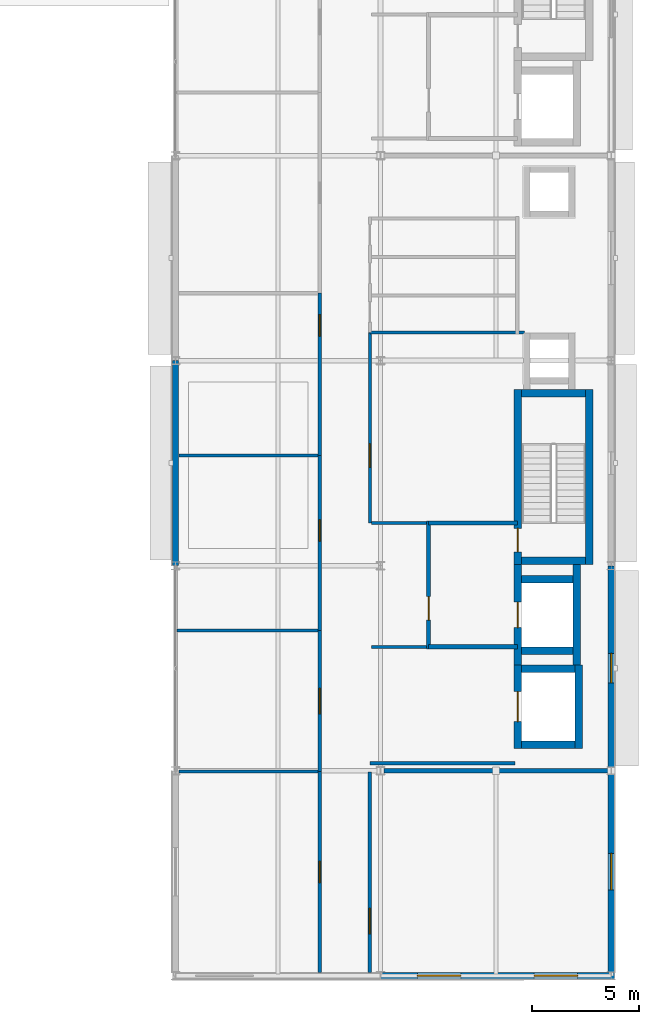
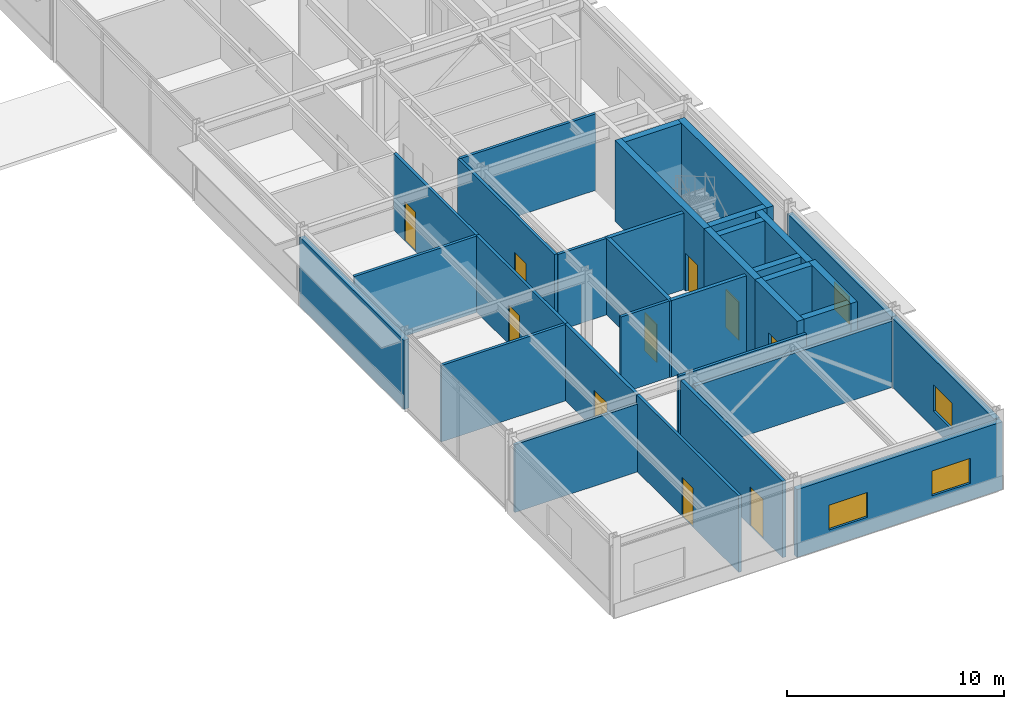
# One storey, part 108 of 133: 33 walls, 10 doors, 4 windows, 14 openings.
"""IFC4 building model written with IfcOpenShell, lengths in metres."""

from ifc_helpers import new_model, si_unit, direction, frame, frame_2d, origin, place, context, subcontext, project, spatial, rectangle, extrude, material, layer, layer_set, type_object, element, fill, save


model = new_model("IFC4")

# Units and contexts
model_context = context("Model", 3, precision=1e-05, world=origin(), true_north=direction((0.0, 1.0)))
body_context = subcontext(model_context, "Body", "Model", "MODEL_VIEW")
ifc_project = project(units=[si_unit("LENGTHUNIT", "METRE"), si_unit("AREAUNIT", "SQUARE_METRE"), si_unit("VOLUMEUNIT", "CUBIC_METRE"), si_unit("PLANEANGLEUNIT", "RADIAN"), si_unit("MASSUNIT", "GRAM", prefix="KILO")], contexts=[model_context])

# Site, building, storey
site_placement = place(None, origin())
site = spatial("IfcSite", under=ifc_project, at=site_placement, CompositionType="ELEMENT")
building_placement = place(site_placement, origin())
building = spatial("IfcBuilding", under=site, at=building_placement, Name="Almandine Court Research Institute", CompositionType="ELEMENT")
storey_placement = place(building_placement, frame((0.0, 0.0, 9.800048828125)))
storey = spatial("IfcBuildingStorey", under=building, at=storey_placement, Name="L02", CompositionType="ELEMENT", Elevation=9.800048828125)

# Wall
ifc_material_1 = material(Name="Insulated Ochre Terracotta Rainscreen Wall", Category="masonry")
ifc_layer_1 = layer(ifc_material_1, 0.2900390625)
ifc_layer_set_1 = layer_set([ifc_layer_1], Name="Insulated Ochre Terracotta Rainscreen Wall")
wall_type_1 = type_object("IfcWallType", Name="Wall-EXT-TERR-290", PredefinedType="SOLIDWALL", material=ifc_layer_set_1)
wall_1_placement = place(storey_placement, frame((153.60009765625, 25.2041015625, 0.0), z_axis=(0.0, 0.0, 1.0), x_axis=(0.0, 1.0, 0.0)))
element("IfcWall", 1, at=wall_1_placement, inside=storey, type_object=wall_type_1, Name="L02 Wet Lab West Facade Wall 3", PredefinedType="SOLIDWALL", context=body_context, shape_type="SweptSolid", body=[
    extrude(rectangle(XDim=9.591796875, YDim=0.2900390625, at=frame_2d((4.7958984375, 0.0))), origin(), (0.0, 0.0, 1.0), 3.89306640625),
])

# Wall, opening, window
wall_2_placement = place(storey_placement, frame((174.0, 25.196044921875, 0.0), z_axis=(0.0, 0.0, 1.0), x_axis=(0.0, -1.0, 0.0)))
wall_2 = element("IfcWall", 2, at=wall_2_placement, inside=storey, type_object=wall_type_1, Name="L02 Wet Lab East Facade Wall 2", PredefinedType="SOLIDWALL", context=body_context, shape_type="SweptSolid", body=[
    extrude(rectangle(XDim=9.592041015625, YDim=0.2900390625, at=frame_2d((4.7958984375, 0.0))), origin(), (0.0, 0.0, 1.0), 3.884033203125),
])
opening_1_placement = place(wall_2_placement, frame((4.10595703125, 0.0, 0.949951171875)))
opening_1 = element("IfcOpeningElement", 3, at=opening_1_placement, cuts=wall_2, Name="Opening WN-75", PredefinedType="OPENING", context=body_context, shape_type="SweptSolid", body=[
    extrude(rectangle(XDim=1.3798828125, YDim=1.56005859375, at=frame_2d((0.68994140625, 0.780029296875))), frame((0.0, 0.155029296875, 0.0), z_axis=(0.0, -1.0, 0.0), x_axis=(1.0, 0.0, 0.0)), (0.0, 0.0, 1.0), 0.31005859375),
])
ifc_material_2 = material(Name="Thermally Broken Low-E Double-Glazed Window", Category="glass")
window_type_1 = type_object("IfcWindowType", Name="Win-WN-75-1380x1560", PartitioningType="SINGLE_PANEL", PredefinedType="WINDOW", material=ifc_material_2)
window_1_placement = place(opening_1_placement, origin())
window_1 = element("IfcWindow", 4, at=window_1_placement, inside=storey, type_object=window_type_1, Name="L02 Modular Recessed Low-E Window 109", OverallHeight=1.56005859375, OverallWidth=1.3798828125, PartitioningType="SINGLE_PANEL", PredefinedType="WINDOW", context=body_context, shape_type="SweptSolid", body=[
    extrude(rectangle(XDim=1.3798828125, YDim=1.56005859375, at=frame_2d((0.68994140625, 0.780029296875))), frame((0.0, 0.030029296875, 0.0), z_axis=(0.0, -1.0, 0.0), x_axis=(1.0, 0.0, 0.0)), (0.0, 0.0, 1.0), 0.06005859375),
])
fill(opening_1, window_1)

wall_3_placement = place(storey_placement, frame((174.0, 15.595947265625, 0.0), z_axis=(0.0, 0.0, 1.0), x_axis=(0.0, -1.0, 0.0)))
wall_3 = element("IfcWall", 5, at=wall_3_placement, inside=storey, type_object=wall_type_1, Name="L02 Wet Lab East Facade Wall 1", PredefinedType="SOLIDWALL", context=body_context, shape_type="SweptSolid", body=[
    extrude(rectangle(XDim=9.447021484375, YDim=0.2900390625, at=frame_2d((4.7236328125, 0.0))), origin(), (0.0, 0.0, 1.0), 3.884033203125),
])
opening_2_placement = place(wall_3_placement, frame((3.867919921875, 0.0, 0.949951171875)))
opening_2 = element("IfcOpeningElement", 6, at=opening_2_placement, cuts=wall_3, Name="Opening WN-12", PredefinedType="OPENING", context=body_context, shape_type="SweptSolid", body=[
    extrude(rectangle(XDim=1.7099609375, YDim=1.47998046875, at=frame_2d((0.85498046875, 0.739990234375))), frame((0.0, 0.155029296875, 0.0), z_axis=(0.0, -1.0, 0.0), x_axis=(1.0, 0.0, 0.0)), (0.0, 0.0, 1.0), 0.31005859375),
])
window_type_2 = type_object("IfcWindowType", Name="Win-WN-12-1710x1480", PartitioningType="SINGLE_PANEL", PredefinedType="WINDOW", material=ifc_material_2)
window_2_placement = place(opening_2_placement, origin())
window_2 = element("IfcWindow", 7, at=window_2_placement, inside=storey, type_object=window_type_2, Name="L02 Modular Recessed Low-E Window 110", OverallHeight=1.47998046875, OverallWidth=1.7099609375, PartitioningType="SINGLE_PANEL", PredefinedType="WINDOW", context=body_context, shape_type="SweptSolid", body=[
    extrude(rectangle(XDim=1.7099609375, YDim=1.47998046875, at=frame_2d((0.85498046875, 0.739990234375))), frame((0.0, 0.030029296875, 0.0), z_axis=(0.0, -1.0, 0.0), x_axis=(1.0, 0.0, 0.0)), (0.0, 0.0, 1.0), 0.06005859375),
])
fill(opening_2, window_2)

# Wall, openings, windows
wall_4_placement = place(storey_placement, frame((174.14501953125, 6.0, 0.0), z_axis=(0.0, 0.0, 1.0), x_axis=(-1.0, 0.0, 0.0)))
wall_4 = element("IfcWall", 8, at=wall_4_placement, inside=storey, type_object=wall_type_1, Name="L02 Wet Lab South Wall 1", PredefinedType="SOLIDWALL", context=body_context, shape_type="SweptSolid", body=[
    extrude(rectangle(XDim=10.94091796875, YDim=0.2900390625, at=frame_2d((5.470458984375, 0.0))), origin(), (0.0, 0.0, 1.0), 3.81396484375),
])
opening_3_placement = place(wall_4_placement, frame((1.715087890625, 0.0, 0.949951171875)))
opening_3 = element("IfcOpeningElement", 9, at=opening_3_placement, cuts=wall_4, Name="Opening WN-76", PredefinedType="OPENING", context=body_context, shape_type="SweptSolid", body=[
    extrude(rectangle(XDim=2.0400390625, YDim=1.39990234375, at=frame_2d((1.02001953125, 0.699951171875))), frame((0.0, 0.155029296875, 0.0), z_axis=(0.0, -1.0, 0.0), x_axis=(1.0, 0.0, 0.0)), (0.0, 0.0, 1.0), 0.31005859375),
])
opening_4_placement = place(wall_4_placement, frame((7.18603515625, 0.0, 0.949951171875)))
opening_4 = element("IfcOpeningElement", 10, at=opening_4_placement, cuts=wall_4, Name="Opening WN-76", PredefinedType="OPENING", context=body_context, shape_type="SweptSolid", body=[
    extrude(rectangle(XDim=2.0400390625, YDim=1.39990234375, at=frame_2d((1.02001953125, 0.699951171875))), frame((0.0, 0.155029296875, 0.0), z_axis=(0.0, -1.0, 0.0), x_axis=(1.0, 0.0, 0.0)), (0.0, 0.0, 1.0), 0.31005859375),
])
window_type_3 = type_object("IfcWindowType", Name="Win-WN-76-2040x1400", PartitioningType="SINGLE_PANEL", PredefinedType="WINDOW", material=ifc_material_2)
window_3_placement = place(opening_3_placement, origin())
window_3 = element("IfcWindow", 11, at=window_3_placement, inside=storey, type_object=window_type_3, Name="L02 Modular Recessed Low-E Window 111", OverallHeight=1.39990234375, OverallWidth=2.0400390625, PartitioningType="SINGLE_PANEL", PredefinedType="WINDOW", context=body_context, shape_type="SweptSolid", body=[
    extrude(rectangle(XDim=2.0400390625, YDim=1.39990234375, at=frame_2d((1.02001953125, 0.699951171875))), frame((0.0, 0.030029296875, 0.0), z_axis=(0.0, -1.0, 0.0), x_axis=(1.0, 0.0, 0.0)), (0.0, 0.0, 1.0), 0.06005859375),
])
fill(opening_3, window_3)
window_4_placement = place(opening_4_placement, origin())
window_4 = element("IfcWindow", 12, at=window_4_placement, inside=storey, type_object=window_type_3, Name="L02 Modular Recessed Low-E Window 112", OverallHeight=1.39990234375, OverallWidth=2.0400390625, PartitioningType="SINGLE_PANEL", PredefinedType="WINDOW", context=body_context, shape_type="SweptSolid", body=[
    extrude(rectangle(XDim=2.0400390625, YDim=1.39990234375, at=frame_2d((1.02001953125, 0.699951171875))), frame((0.0, 0.030029296875, 0.0), z_axis=(0.0, -1.0, 0.0), x_axis=(1.0, 0.0, 0.0)), (0.0, 0.0, 1.0), 0.06005859375),
])
fill(opening_4, window_4)

# Wall, opening, door
ifc_material_3 = material(Name="One-Hour Fire-Rated Laboratory Partition")
ifc_layer_2 = layer(ifc_material_3, 0.175048828125)
ifc_layer_set_2 = layer_set([ifc_layer_2], Name="One-Hour Fire-Rated Laboratory Partition")
wall_type_2 = type_object("IfcWallType", Name="Wall-FIRE-175", PredefinedType="PARTITIONING", material=ifc_layer_set_2)
wall_5_placement = place(storey_placement, frame((160.35009765625, 15.56005859375, 0.0), z_axis=(0.0, 0.0, 1.0), x_axis=(0.0, 1.0, 0.0)))
wall_5 = element("IfcWall", 13, at=wall_5_placement, inside=storey, type_object=wall_type_2, Name="L02 Interior Partition W-V4-L02-WW-1", PredefinedType="PARTITIONING", context=body_context, shape_type="SweptSolid", body=[
    extrude(rectangle(XDim=6.599853515625, YDim=0.175048828125, at=frame_2d((3.2998046875, 0.0))), origin(), (0.0, 0.0, 1.0), 4.300048828125),
])
opening_5_placement = place(wall_5_placement, frame((2.699951171875, 0.0, 0.0)))
opening_5 = element("IfcOpeningElement", 14, at=opening_5_placement, cuts=wall_5, Name="Opening FD-LAB", PredefinedType="OPENING", context=body_context, shape_type="SweptSolid", body=[
    extrude(rectangle(XDim=1.199951171875, YDim=2.199951171875, at=frame_2d((0.60009765625, 1.10009765625))), frame((0.0, 0.097412109375, 0.0), z_axis=(0.0, -1.0, 0.0), x_axis=(1.0, 0.0, 0.0)), (0.0, 0.0, 1.0), 0.195068359375),
])
ifc_material_4 = material(Name="Fire-Rated Laboratory Containment Door")
door_type_1 = type_object("IfcDoorType", Name="Door-FD-LAB-1200", OperationType="NOTDEFINED", PredefinedType="DOOR", material=ifc_material_4)
door_1_placement = place(opening_5_placement, origin())
door_1 = element("IfcDoor", 15, at=door_1_placement, inside=storey, type_object=door_type_1, Name="L02 Biosciences BSL-2 Laboratory Door", OperationType="SINGLE_SWING_LEFT", OverallHeight=2.199951171875, OverallWidth=1.199951171875, PredefinedType="DOOR", context=body_context, shape_type="SweptSolid", body=[
    extrude(rectangle(XDim=1.199951171875, YDim=2.199951171875, at=frame_2d((0.60009765625, 1.10009765625))), frame((0.0, 0.02490234375, 0.0), z_axis=(0.0, -1.0, 0.0), x_axis=(1.0, 0.0, 0.0)), (0.0, 0.0, 1.0), 0.050048828125),
])
fill(opening_5, door_1)

wall_6_placement = place(storey_placement, frame((162.699951171875, 6.159912109375, 0.0), z_axis=(0.0, 0.0, 1.0), x_axis=(0.0, 1.0, 0.0)))
wall_6 = element("IfcWall", 16, at=wall_6_placement, inside=storey, type_object=wall_type_2, Name="L02 Interior Partition W-V4-L02-EW-S", PredefinedType="PARTITIONING", context=body_context, shape_type="SweptSolid", body=[
    extrude(rectangle(XDim=9.39013671875, YDim=0.175048828125, at=frame_2d((4.695068359375, 0.0))), origin(), (0.0, 0.0, 1.0), 4.300048828125),
])
opening_6_placement = place(wall_6_placement, frame((1.800048828125, 0.0, 0.0)))
opening_6 = element("IfcOpeningElement", 17, at=opening_6_placement, cuts=wall_6, Name="Opening FD-LAB", PredefinedType="OPENING", context=body_context, shape_type="SweptSolid", body=[
    extrude(rectangle(XDim=1.199951171875, YDim=2.199951171875, at=frame_2d((0.60009765625, 1.10009765625))), frame((0.0, 0.097412109375, 0.0), z_axis=(0.0, -1.0, 0.0), x_axis=(1.0, 0.0, 0.0)), (0.0, 0.0, 1.0), 0.195068359375),
])
door_2_placement = place(opening_6_placement, origin())
door_2 = element("IfcDoor", 18, at=door_2_placement, inside=storey, type_object=door_type_1, Name="L02 Analytical Lab Door", OperationType="SINGLE_SWING_LEFT", OverallHeight=2.199951171875, OverallWidth=1.199951171875, PredefinedType="DOOR", context=body_context, shape_type="SweptSolid", body=[
    extrude(rectangle(XDim=1.199951171875, YDim=2.199951171875, at=frame_2d((0.60009765625, 1.10009765625))), frame((0.0, 0.02490234375, 0.0), z_axis=(0.0, -1.0, 0.0), x_axis=(1.0, 0.0, 0.0)), (0.0, 0.0, 1.0), 0.050048828125),
])
fill(opening_6, door_2)

# Wall
ifc_material_5 = material(Name="Two-Hour Fire-Barrier Enclosure Wall")
ifc_layer_3 = layer(ifc_material_5, 0.199951171875)
ifc_layer_set_3 = layer_set([ifc_layer_3], Name="Two-Hour Fire-Barrier Enclosure Wall")
wall_type_3 = type_object("IfcWallType", Name="Wall-FIRE-200", PredefinedType="SOLIDWALL", material=ifc_layer_set_3)
wall_7_placement = place(storey_placement, frame((163.360107421875, 15.60009765625, 0.0), z_axis=(0.0, 0.0, 1.0), x_axis=(1.0, 0.0, 0.0)))
element("IfcWall", 19, at=wall_7_placement, inside=storey, type_object=wall_type_3, Name="L02 Interior Partition W-BF-V4-BF1-L02", PredefinedType="SOLIDWALL", context=body_context, shape_type="SweptSolid", body=[
    extrude(rectangle(XDim=10.47998046875, YDim=0.199951171875, at=frame_2d((5.239990234375, 0.0))), origin(), (0.0, 0.0, 1.0), 3.737060546875),
])

# Wall, opening, door
wall_8_placement = place(storey_placement, frame((165.449951171875, 21.300048828125, 0.0), z_axis=(0.0, 0.0, 1.0), x_axis=(0.0, 1.0, 0.0)))
wall_8 = element("IfcWall", 20, at=wall_8_placement, inside=storey, type_object=wall_type_3, Name="L02 Interior Partition W-FFL1-L02-W", PredefinedType="SOLIDWALL", context=body_context, shape_type="SweptSolid", body=[
    extrude(rectangle(XDim=6.0, YDim=0.199951171875, at=frame_2d((3.0, 0.0))), origin(), (0.0, 0.0, 1.0), 4.300048828125),
])
opening_7_placement = place(wall_8_placement, frame((1.35009765625, 0.0, 0.0)))
opening_7 = element("IfcOpeningElement", 21, at=opening_7_placement, cuts=wall_8, Name="Opening FD-FFL", PredefinedType="OPENING", context=body_context, shape_type="SweptSolid", body=[
    extrude(rectangle(XDim=1.10009765625, YDim=2.14990234375, at=frame_2d((0.550048828125, 1.074951171875))), frame((0.0, 0.10986328125, 0.0), z_axis=(0.0, -1.0, 0.0), x_axis=(1.0, 0.0, 0.0)), (0.0, 0.0, 1.0), 0.219970703125),
])
ifc_material_6 = material(Name="Smoke-Tight Firefighting Lobby Fire Door")
door_type_2 = type_object("IfcDoorType", Name="Door-FD-FFL-1100", OperationType="NOTDEFINED", PredefinedType="DOOR", material=ifc_material_6)
door_3_placement = place(opening_7_placement, origin())
door_3 = element("IfcDoor", 22, at=door_3_placement, inside=storey, type_object=door_type_2, Name="L02 Firefighting Lobby Fire Door 1", OperationType="SINGLE_SWING_RIGHT", OverallHeight=2.14990234375, OverallWidth=1.10009765625, PredefinedType="DOOR", context=body_context, shape_type="SweptSolid", body=[
    extrude(rectangle(XDim=1.10009765625, YDim=2.14990234375, at=frame_2d((0.550048828125, 1.074951171875))), frame((0.0, 0.02490234375, 0.0), z_axis=(0.0, -1.0, 0.0), x_axis=(1.0, 0.0, 0.0)), (0.0, 0.0, 1.0), 0.050048828125),
])
fill(opening_7, door_3)

# Walls
for number, where, z_axis, x_axis, name in (
    (23, (165.449951171875, 21.39990234375, 0.0), (0.0, 0.0, 1.0), (1.0, 0.0, 0.0), "L02 Interior Partition W-FFL1-L02-S"),
    (24, (165.449951171875, 27.199951171875, 0.0), (0.0, 0.0, 1.0), (1.0, 0.0, 0.0), "L02 Interior Partition W-FFL1-L02-N"),
):
    element("IfcWall", number, at=place(storey_placement, frame(where, z_axis=z_axis, x_axis=x_axis)), inside=storey, type_object=wall_type_3, Name=name, PredefinedType="SOLIDWALL", context=body_context, shape_type="SweptSolid", body=[
        extrude(rectangle(XDim=4.150146484375, YDim=0.199951171875, at=frame_2d((2.0751953125, 0.0))), origin(), (0.0, 0.0, 1.0), 4.300048828125),
    ])
ifc_material_7 = material(Name="Acoustic Steel-Stud Gypsum Partition Wall", Category="steel")
ifc_layer_4 = layer(ifc_material_7, 0.14990234375)
ifc_layer_set_4 = layer_set([ifc_layer_4], Name="Acoustic Steel-Stud Gypsum Partition Wall")
wall_type_4 = type_object("IfcWallType", Name="Wall-PART-150", PredefinedType="PARTITIONING", material=ifc_layer_set_4)
wall_9_placement = place(storey_placement, frame((162.699951171875, 36.1201171875, 0.0), z_axis=(0.0, 0.0, 1.0), x_axis=(1.0, 0.0, 0.0)))
element("IfcWall", 25, at=wall_9_placement, inside=storey, type_object=wall_type_4, Name="L02 Interior Partition W-V4-L02-WCS", PredefinedType="PARTITIONING", context=body_context, shape_type="SweptSolid", body=[
    extrude(rectangle(XDim=7.25, YDim=0.14990234375, at=frame_2d((3.625, 0.0))), origin(), (0.0, 0.0, 1.0), 4.300048828125),
])

# Wall, opening, door
wall_10_placement = place(storey_placement, frame((160.35009765625, 6.159912109375, 0.0), z_axis=(0.0, 0.0, 1.0), x_axis=(0.0, 1.0, 0.0)))
wall_10 = element("IfcWall", 26, at=wall_10_placement, inside=storey, type_object=wall_type_4, Name="L02 Interior Partition W-V4-L02-WW-0", PredefinedType="PARTITIONING", context=body_context, shape_type="SweptSolid", body=[
    extrude(rectangle(XDim=9.400146484375, YDim=0.14990234375, at=frame_2d((4.7001953125, 0.0))), origin(), (0.0, 0.0, 1.0), 4.300048828125),
])
opening_8_placement = place(wall_10_placement, frame((4.199951171875, 0.0, 0.0)))
opening_8 = element("IfcOpeningElement", 27, at=opening_8_placement, cuts=wall_10, Name="Opening D-02", PredefinedType="OPENING", context=body_context, shape_type="SweptSolid", body=[
    extrude(rectangle(XDim=1.0, YDim=2.199951171875, at=frame_2d((0.5, 1.10009765625))), frame((0.0, 0.0849609375, 0.0), z_axis=(0.0, -1.0, 0.0), x_axis=(1.0, 0.0, 0.0)), (0.0, 0.0, 1.0), 0.169921875),
])
ifc_material_8 = material(Name="Solid-Core Timber Researcher Office Door", Category="wood")
door_type_3 = type_object("IfcDoorType", Name="Door-INT-1000", OperationType="NOTDEFINED", PredefinedType="DOOR", material=ifc_material_8)
door_4_placement = place(opening_8_placement, origin())
door_4 = element("IfcDoor", 28, at=door_4_placement, inside=storey, type_object=door_type_3, Name="L02 Faculty Study Door", OperationType="SINGLE_SWING_RIGHT", OverallHeight=2.199951171875, OverallWidth=1.0, PredefinedType="DOOR", context=body_context, shape_type="SweptSolid", body=[
    extrude(rectangle(XDim=1.0, YDim=2.199951171875, at=frame_2d((0.5, 1.10009765625))), frame((0.0, 0.02490234375, 0.0), z_axis=(0.0, -1.0, 0.0), x_axis=(1.0, 0.0, 0.0)), (0.0, 0.0, 1.0), 0.050048828125),
])
fill(opening_8, door_4)

# Walls
wall_11_placement = place(storey_placement, frame((153.760009765625, 15.56005859375, 0.0), z_axis=(0.0, 0.0, 1.0), x_axis=(1.0, 0.0, 0.0)))
element("IfcWall", 29, at=wall_11_placement, inside=storey, type_object=wall_type_4, Name="L02 Interior Partition W-V4-L02-WDIV-0", PredefinedType="PARTITIONING", context=body_context, shape_type="SweptSolid", body=[
    extrude(rectangle(XDim=6.510009765625, YDim=0.14990234375, at=frame_2d((3.2548828125, 0.0))), origin(), (0.0, 0.0, 1.0), 3.81494140625),
])
wall_12_placement = place(storey_placement, frame((153.659912109375, 22.159912109375, 0.0), z_axis=(0.0, 0.0, 1.0), x_axis=(1.0, 0.0, 0.0)))
element("IfcWall", 30, at=wall_12_placement, inside=storey, type_object=wall_type_4, Name="L02 Interior Partition W-V4-L02-WDIV-1", PredefinedType="PARTITIONING", context=body_context, shape_type="SweptSolid", body=[
    extrude(rectangle(XDim=6.610107421875, YDim=0.14990234375, at=frame_2d((3.30517578125, 0.0))), origin(), (0.0, 0.0, 1.0), 4.300048828125),
])

# Wall, opening, door
wall_13_placement = place(storey_placement, frame((160.35009765625, 22.159912109375, 0.0), z_axis=(0.0, 0.0, 1.0), x_axis=(0.0, 1.0, 0.0)))
wall_13 = element("IfcWall", 31, at=wall_13_placement, inside=storey, type_object=wall_type_4, Name="L02 Interior Partition W-V4-L02-WW-2", PredefinedType="PARTITIONING", context=body_context, shape_type="SweptSolid", body=[
    extrude(rectangle(XDim=8.2001953125, YDim=0.14990234375, at=frame_2d((4.10009765625, 0.0))), origin(), (0.0, 0.0, 1.0), 4.300048828125),
])
opening_9_placement = place(wall_13_placement, frame((4.18994140625, 0.0, 0.0)))
opening_9 = element("IfcOpeningElement", 32, at=opening_9_placement, cuts=wall_13, Name="Opening D-02", PredefinedType="OPENING", context=body_context, shape_type="SweptSolid", body=[
    extrude(rectangle(XDim=1.0, YDim=2.199951171875, at=frame_2d((0.5, 1.10009765625))), frame((0.0, 0.0849609375, 0.0), z_axis=(0.0, -1.0, 0.0), x_axis=(1.0, 0.0, 0.0)), (0.0, 0.0, 1.0), 0.169921875),
])
door_5_placement = place(opening_9_placement, origin())
door_5 = element("IfcDoor", 33, at=door_5_placement, inside=storey, type_object=door_type_3, Name="L02 Seminar Room Door", OperationType="SINGLE_SWING_RIGHT", OverallHeight=2.199951171875, OverallWidth=1.0, PredefinedType="DOOR", context=body_context, shape_type="SweptSolid", body=[
    extrude(rectangle(XDim=1.0, YDim=2.199951171875, at=frame_2d((0.5, 1.10009765625))), frame((0.0, 0.02490234375, 0.0), z_axis=(0.0, -1.0, 0.0), x_axis=(1.0, 0.0, 0.0)), (0.0, 0.0, 1.0), 0.050048828125),
])
fill(opening_9, door_5)

# Wall
wall_14_placement = place(storey_placement, frame((153.760009765625, 30.360107421875, 0.0), z_axis=(0.0, 0.0, 1.0), x_axis=(1.0, 0.0, 0.0)))
element("IfcWall", 34, at=wall_14_placement, inside=storey, type_object=wall_type_4, Name="L02 Interior Partition W-V4-L02-WDIV-2", PredefinedType="PARTITIONING", context=body_context, shape_type="SweptSolid", body=[
    extrude(rectangle(XDim=6.510009765625, YDim=0.14990234375, at=frame_2d((3.2548828125, 0.0))), origin(), (0.0, 0.0, 1.0), 4.300048828125),
])

# Wall, opening, door
wall_15_placement = place(storey_placement, frame((160.35009765625, 30.360107421875, 0.0), z_axis=(0.0, 0.0, 1.0), x_axis=(0.0, 1.0, 0.0)))
wall_15 = element("IfcWall", 35, at=wall_15_placement, inside=storey, type_object=wall_type_4, Name="L02 Interior Partition W-V4-L02-WW-3", PredefinedType="PARTITIONING", context=body_context, shape_type="SweptSolid", body=[
    extrude(rectangle(XDim=7.599853515625, YDim=0.14990234375, at=frame_2d((3.7998046875, 0.0))), origin(), (0.0, 0.0, 1.0), 4.300048828125),
])
opening_10_placement = place(wall_15_placement, frame((5.590087890625, 0.0, 0.0)))
opening_10 = element("IfcOpeningElement", 36, at=opening_10_placement, cuts=wall_15, Name="Opening D-02", PredefinedType="OPENING", context=body_context, shape_type="SweptSolid", body=[
    extrude(rectangle(XDim=1.0, YDim=2.199951171875, at=frame_2d((0.5, 1.10009765625))), frame((0.0, 0.0849609375, 0.0), z_axis=(0.0, -1.0, 0.0), x_axis=(1.0, 0.0, 0.0)), (0.0, 0.0, 1.0), 0.169921875),
])
door_6_placement = place(opening_10_placement, origin())
door_6 = element("IfcDoor", 37, at=door_6_placement, inside=storey, type_object=door_type_3, Name="L02 Instrument Room Door", OperationType="SINGLE_SWING_LEFT", OverallHeight=2.199951171875, OverallWidth=1.0, PredefinedType="DOOR", context=body_context, shape_type="SweptSolid", body=[
    extrude(rectangle(XDim=1.0, YDim=2.199951171875, at=frame_2d((0.5, 1.10009765625))), frame((0.0, 0.02490234375, 0.0), z_axis=(0.0, -1.0, 0.0), x_axis=(1.0, 0.0, 0.0)), (0.0, 0.0, 1.0), 0.050048828125),
])
fill(opening_10, door_6)

# Wall
wall_16_placement = place(storey_placement, frame((162.780029296875, 27.199951171875, 0.0), z_axis=(0.0, 0.0, 1.0), x_axis=(1.0, 0.0, 0.0)))
element("IfcWall", 38, at=wall_16_placement, inside=storey, type_object=wall_type_4, Name="L02 Interior Partition W-V4-L02-SPEC-S", PredefinedType="PARTITIONING", context=body_context, shape_type="SweptSolid", body=[
    extrude(rectangle(XDim=2.570068359375, YDim=0.14990234375, at=frame_2d((1.28515625, 0.0))), origin(), (0.0, 0.0, 1.0), 4.300048828125),
])

# Wall, opening, door
wall_17_placement = place(storey_placement, frame((162.699951171875, 27.199951171875, 0.0), z_axis=(0.0, 0.0, 1.0), x_axis=(0.0, 1.0, 0.0)))
wall_17 = element("IfcWall", 39, at=wall_17_placement, inside=storey, type_object=wall_type_4, Name="L02 Interior Partition W-V4-L02-EW-M", PredefinedType="PARTITIONING", context=body_context, shape_type="SweptSolid", body=[
    extrude(rectangle(XDim=8.920166015625, YDim=0.14990234375, at=frame_2d((4.4599609375, 0.0))), origin(), (0.0, 0.0, 1.0), 4.300048828125),
])
opening_11_placement = place(wall_17_placement, frame((2.60009765625, 0.0, 0.0)))
opening_11 = element("IfcOpeningElement", 40, at=opening_11_placement, cuts=wall_17, Name="Opening D-03", PredefinedType="OPENING", context=body_context, shape_type="SweptSolid", body=[
    extrude(rectangle(XDim=1.10009765625, YDim=2.199951171875, at=frame_2d((0.550048828125, 1.10009765625))), frame((0.0, 0.0849609375, 0.0), z_axis=(0.0, -1.0, 0.0), x_axis=(1.0, 0.0, 0.0)), (0.0, 0.0, 1.0), 0.169921875),
])
ifc_material_9 = material(Name="Acoustic Vision-Panel Seminar Door")
door_type_4 = type_object("IfcDoorType", Name="Door-INT-1100", OperationType="NOTDEFINED", PredefinedType="DOOR", material=ifc_material_9)
door_7_placement = place(opening_11_placement, origin())
door_7 = element("IfcDoor", 41, at=door_7_placement, inside=storey, type_object=door_type_4, Name="L02 Spectroscopy Suite Door", OperationType="SINGLE_SWING_RIGHT", OverallHeight=2.199951171875, OverallWidth=1.10009765625, PredefinedType="DOOR", context=body_context, shape_type="SweptSolid", body=[
    extrude(rectangle(XDim=1.10009765625, YDim=2.199951171875, at=frame_2d((0.550048828125, 1.10009765625))), frame((0.0, 0.02490234375, 0.0), z_axis=(0.0, -1.0, 0.0), x_axis=(1.0, 0.0, 0.0)), (0.0, 0.0, 1.0), 0.050048828125),
])
fill(opening_11, door_7)

# Walls
wall_18_placement = place(storey_placement, frame((162.780029296875, 21.39990234375, 0.0), z_axis=(0.0, 0.0, 1.0), x_axis=(1.0, 0.0, 0.0)))
element("IfcWall", 42, at=wall_18_placement, inside=storey, type_object=wall_type_4, Name="L02 Interior Partition W-V4-L02-FFL1-CS", PredefinedType="PARTITIONING", context=body_context, shape_type="SweptSolid", body=[
    extrude(rectangle(XDim=2.570068359375, YDim=0.14990234375, at=frame_2d((1.28515625, 0.0))), origin(), (0.0, 0.0, 1.0), 4.300048828125),
])
wall_19_placement = place(storey_placement, frame((162.699951171875, 15.949951171875, 0.0), z_axis=(0.0, 0.0, 1.0), x_axis=(1.0, 0.0, 0.0)))
element("IfcWall", 43, at=wall_19_placement, inside=storey, type_object=wall_type_4, Name="L02 Interior Partition W-V4-L02-GL1-CS", PredefinedType="PARTITIONING", context=body_context, shape_type="SweptSolid", body=[
    extrude(rectangle(XDim=6.800048828125, YDim=0.14990234375, at=frame_2d((3.39990234375, 0.0))), origin(), (0.0, 0.0, 1.0), 4.300048828125),
])

# Wall, opening, door
ifc_material_10 = material(Name="Concrete C40/50", Category="concrete")
ifc_layer_5 = layer(ifc_material_10, 0.35009765625)
ifc_layer_set_5 = layer_set([ifc_layer_5], Name="Concrete C40/50")
wall_type_5 = type_object("IfcWallType", Name="Wall-SW-CORE-350", PredefinedType="SHEAR", material=ifc_layer_set_5)
wall_20_placement = place(storey_placement, frame((169.625, 25.25, 0.0), z_axis=(0.0, 0.0, 1.0), x_axis=(0.0, 1.0, 0.0)))
wall_20 = element("IfcWall", 44, at=wall_20_placement, inside=storey, type_object=wall_type_5, Name="L02 ST-07 W Shear Wall", PredefinedType="SHEAR", context=body_context, shape_type="SweptSolid", body=[
    extrude(rectangle(XDim=8.199951171875, YDim=0.35009765625, at=frame_2d((4.10009765625, 0.0))), origin(), (0.0, 0.0, 1.0), 4.550048828125),
])
opening_12_placement = place(wall_20_placement, frame((0.60009765625, 0.0, 0.0)))
opening_12 = element("IfcOpeningElement", 45, at=opening_12_placement, cuts=wall_20, Name="Opening FD-STAIR", PredefinedType="OPENING", context=body_context, shape_type="SweptSolid", body=[
    extrude(rectangle(XDim=1.10009765625, YDim=2.14990234375, at=frame_2d((0.550048828125, 1.074951171875))), frame((0.0, 0.18505859375, 0.0), z_axis=(0.0, -1.0, 0.0), x_axis=(1.0, 0.0, 0.0)), (0.0, 0.0, 1.0), 0.3701171875),
])
ifc_material_11 = material(Name="Self-Closing Steel Exit Stair Fire Door", Category="steel")
door_type_5 = type_object("IfcDoorType", Name="Door-FD-STAIR-1100", OperationType="NOTDEFINED", PredefinedType="DOOR", material=ifc_material_11)
door_8_placement = place(opening_12_placement, origin())
door_8 = element("IfcDoor", 46, at=door_8_placement, inside=storey, type_object=door_type_5, Name="L02 Exit Stair ST-07 Fire Door", OperationType="SINGLE_SWING_LEFT", OverallHeight=2.14990234375, OverallWidth=1.10009765625, PredefinedType="DOOR", context=body_context, shape_type="SweptSolid", body=[
    extrude(rectangle(XDim=1.10009765625, YDim=2.14990234375, at=frame_2d((0.550048828125, 1.074951171875))), frame((0.0, 0.02490234375, 0.0), z_axis=(0.0, -1.0, 0.0), x_axis=(1.0, 0.0, 0.0)), (0.0, 0.0, 1.0), 0.050048828125),
])
fill(opening_12, door_8)

# Walls
wall_21_placement = place(storey_placement, frame((169.800048828125, 33.27490234375, 0.0), z_axis=(0.0, 0.0, 1.0), x_axis=(1.0, 0.0, 0.0)))
element("IfcWall", 47, at=wall_21_placement, inside=storey, type_object=wall_type_5, Name="L02 ST-07 N Shear Wall", PredefinedType="SHEAR", context=body_context, shape_type="SweptSolid", body=[
    extrude(rectangle(XDim=3.0, YDim=0.35009765625, at=frame_2d((1.5, 0.0))), origin(), (0.0, 0.0, 1.0), 4.550048828125),
])
wall_22_placement = place(storey_placement, frame((172.97509765625, 33.449951171875, 0.0), z_axis=(0.0, 0.0, 1.0), x_axis=(0.0, -1.0, 0.0)))
element("IfcWall", 48, at=wall_22_placement, inside=storey, type_object=wall_type_5, Name="L02 ST-07 E Shear Wall", PredefinedType="SHEAR", context=body_context, shape_type="SweptSolid", body=[
    extrude(rectangle(XDim=8.199951171875, YDim=0.35009765625, at=frame_2d((4.10009765625, 0.0))), origin(), (0.0, 0.0, 1.0), 4.550048828125),
])
wall_23_placement = place(storey_placement, frame((172.800048828125, 25.425048828125, 0.0), z_axis=(0.0, 0.0, 1.0), x_axis=(-1.0, 0.0, 0.0)))
element("IfcWall", 49, at=wall_23_placement, inside=storey, type_object=wall_type_5, Name="L02 ST-07 S Shear Wall", PredefinedType="SHEAR", context=body_context, shape_type="SweptSolid", body=[
    extrude(rectangle(XDim=3.0, YDim=0.35009765625, at=frame_2d((1.5, 0.0))), origin(), (0.0, 0.0, 1.0), 4.550048828125),
])

# Wall, opening, door
wall_24_placement = place(storey_placement, frame((169.625, 20.550048828125, 0.0), z_axis=(0.0, 0.0, 1.0), x_axis=(0.0, 1.0, 0.0)))
wall_24 = element("IfcWall", 50, at=wall_24_placement, inside=storey, type_object=wall_type_5, Name="L02 FL-01 Hoistway W Shear Wall", PredefinedType="SHEAR", context=body_context, shape_type="SweptSolid", body=[
    extrude(rectangle(XDim=4.699951171875, YDim=0.35009765625, at=frame_2d((2.35009765625, 0.0))), origin(), (0.0, 0.0, 1.0), 4.550048828125),
])
opening_13_placement = place(wall_24_placement, frame((1.75, 0.0, 0.0)))
opening_13 = element("IfcOpeningElement", 51, at=opening_13_placement, cuts=wall_24, Name="Opening LD-02", PredefinedType="OPENING", context=body_context, shape_type="SweptSolid", body=[
    extrude(rectangle(XDim=1.199951171875, YDim=2.14990234375, at=frame_2d((0.60009765625, 1.074951171875))), frame((0.0, 0.18505859375, 0.0), z_axis=(0.0, -1.0, 0.0), x_axis=(1.0, 0.0, 0.0)), (0.0, 0.0, 1.0), 0.3701171875),
])
ifc_material_12 = material(Name="Firefighting Lift Landing Sliding Door")
door_type_6 = type_object("IfcDoorType", Name="Door-LD-FSAE-1200", OperationType="SLIDING_TO_LEFT", PredefinedType="USERDEFINED", material=ifc_material_12)
door_9_placement = place(opening_13_placement, origin())
door_9 = element("IfcDoor", 52, at=door_9_placement, inside=storey, type_object=door_type_6, Name="L02 Firefighting Lift FL-01 Sliding Landing Door", ObjectType="LANDING DOOR", OperationType="SLIDING_TO_LEFT", OverallHeight=2.14990234375, OverallWidth=1.199951171875, PredefinedType="USERDEFINED", context=body_context, shape_type="SweptSolid", body=[
    extrude(rectangle(XDim=1.199951171875, YDim=2.14990234375, at=frame_2d((0.60009765625, 1.074951171875))), frame((0.0, 0.02490234375, 0.0), z_axis=(0.0, -1.0, 0.0), x_axis=(1.0, 0.0, 0.0)), (0.0, 0.0, 1.0), 0.050048828125),
])
fill(opening_13, door_9)

# Walls
wall_25_placement = place(storey_placement, frame((169.800048828125, 24.574951171875, 0.0), z_axis=(0.0, 0.0, 1.0), x_axis=(1.0, 0.0, 0.0)))
element("IfcWall", 53, at=wall_25_placement, inside=storey, type_object=wall_type_5, Name="L02 FL-01 Hoistway N Shear Wall", PredefinedType="SHEAR", context=body_context, shape_type="SweptSolid", body=[
    extrude(rectangle(XDim=2.39990234375, YDim=0.35009765625, at=frame_2d((1.199951171875, 0.0))), origin(), (0.0, 0.0, 1.0), 4.550048828125),
])
wall_26_placement = place(storey_placement, frame((172.375, 25.25, 0.0), z_axis=(0.0, 0.0, 1.0), x_axis=(0.0, -1.0, 0.0)))
element("IfcWall", 54, at=wall_26_placement, inside=storey, type_object=wall_type_5, Name="L02 FL-01 Hoistway E Shear Wall", PredefinedType="SHEAR", context=body_context, shape_type="SweptSolid", body=[
    extrude(rectangle(XDim=4.699951171875, YDim=0.35009765625, at=frame_2d((2.35009765625, 0.0))), origin(), (0.0, 0.0, 1.0), 4.550048828125),
])
wall_27_placement = place(storey_placement, frame((172.199951171875, 21.22509765625, 0.0), z_axis=(0.0, 0.0, 1.0), x_axis=(-1.0, 0.0, 0.0)))
element("IfcWall", 55, at=wall_27_placement, inside=storey, type_object=wall_type_5, Name="L02 FL-01 Hoistway S Shear Wall", PredefinedType="SHEAR", context=body_context, shape_type="SweptSolid", body=[
    extrude(rectangle(XDim=2.39990234375, YDim=0.35009765625, at=frame_2d((1.199951171875, 0.0))), origin(), (0.0, 0.0, 1.0), 4.550048828125),
])

# Wall, opening, door
wall_28_placement = place(storey_placement, frame((169.625, 16.64990234375, 0.0), z_axis=(0.0, 0.0, 1.0), x_axis=(0.0, 1.0, 0.0)))
wall_28 = element("IfcWall", 56, at=wall_28_placement, inside=storey, type_object=wall_type_5, Name="L02 GL-01 Hoistway W Shear Wall", PredefinedType="SHEAR", context=body_context, shape_type="SweptSolid", body=[
    extrude(rectangle(XDim=3.900146484375, YDim=0.35009765625, at=frame_2d((1.9501953125, 0.0))), origin(), (0.0, 0.0, 1.0), 4.550048828125),
])
opening_14_placement = place(wall_28_placement, frame((1.25, 0.0, 0.0)))
opening_14 = element("IfcOpeningElement", 57, at=opening_14_placement, cuts=wall_28, Name="Opening LD-03", PredefinedType="OPENING", context=body_context, shape_type="SweptSolid", body=[
    extrude(rectangle(XDim=1.39990234375, YDim=2.300048828125, at=frame_2d((0.699951171875, 1.14990234375))), frame((0.0, 0.18505859375, 0.0), z_axis=(0.0, -1.0, 0.0), x_axis=(1.0, 0.0, 0.0)), (0.0, 0.0, 1.0), 0.3701171875),
])
ifc_material_13 = material(Name="Heavy Goods Lift Landing Sliding Door")
door_type_7 = type_object("IfcDoorType", Name="Door-LD-GOOD-1400", OperationType="SLIDING_TO_LEFT", PredefinedType="USERDEFINED", material=ifc_material_13)
door_10_placement = place(opening_14_placement, origin())
door_10 = element("IfcDoor", 58, at=door_10_placement, inside=storey, type_object=door_type_7, Name="L02 Wet Laboratory Goods Lift GL-01 Sliding Landing Door", ObjectType="LANDING DOOR", OperationType="SLIDING_TO_LEFT", OverallHeight=2.300048828125, OverallWidth=1.39990234375, PredefinedType="USERDEFINED", context=body_context, shape_type="SweptSolid", body=[
    extrude(rectangle(XDim=1.39990234375, YDim=2.300048828125, at=frame_2d((0.699951171875, 1.14990234375))), frame((0.0, 0.02490234375, 0.0), z_axis=(0.0, -1.0, 0.0), x_axis=(1.0, 0.0, 0.0)), (0.0, 0.0, 1.0), 0.050048828125),
])
fill(opening_14, door_10)

# Walls
wall_29_placement = place(storey_placement, frame((169.800048828125, 20.375, 0.0), z_axis=(0.0, 0.0, 1.0), x_axis=(1.0, 0.0, 0.0)))
element("IfcWall", 59, at=wall_29_placement, inside=storey, type_object=wall_type_5, Name="L02 GL-01 Hoistway N Shear Wall", PredefinedType="SHEAR", context=body_context, shape_type="SweptSolid", body=[
    extrude(rectangle(XDim=2.5, YDim=0.35009765625, at=frame_2d((1.25, 0.0))), origin(), (0.0, 0.0, 1.0), 4.550048828125),
])
wall_30_placement = place(storey_placement, frame((172.47509765625, 20.550048828125, 0.0), z_axis=(0.0, 0.0, 1.0), x_axis=(0.0, -1.0, 0.0)))
element("IfcWall", 60, at=wall_30_placement, inside=storey, type_object=wall_type_5, Name="L02 GL-01 Hoistway E Shear Wall", PredefinedType="SHEAR", context=body_context, shape_type="SweptSolid", body=[
    extrude(rectangle(XDim=3.900146484375, YDim=0.35009765625, at=frame_2d((1.9501953125, 0.0))), origin(), (0.0, 0.0, 1.0), 4.550048828125),
])
wall_31_placement = place(storey_placement, frame((172.300048828125, 16.824951171875, 0.0), z_axis=(0.0, 0.0, 1.0), x_axis=(-1.0, 0.0, 0.0)))
element("IfcWall", 61, at=wall_31_placement, inside=storey, type_object=wall_type_5, Name="L02 GL-01 Hoistway S Shear Wall", PredefinedType="SHEAR", context=body_context, shape_type="SweptSolid", body=[
    extrude(rectangle(XDim=2.5, YDim=0.35009765625, at=frame_2d((1.25, 0.0))), origin(), (0.0, 0.0, 1.0), 4.550048828125),
])

save(model, "model.ifc")
